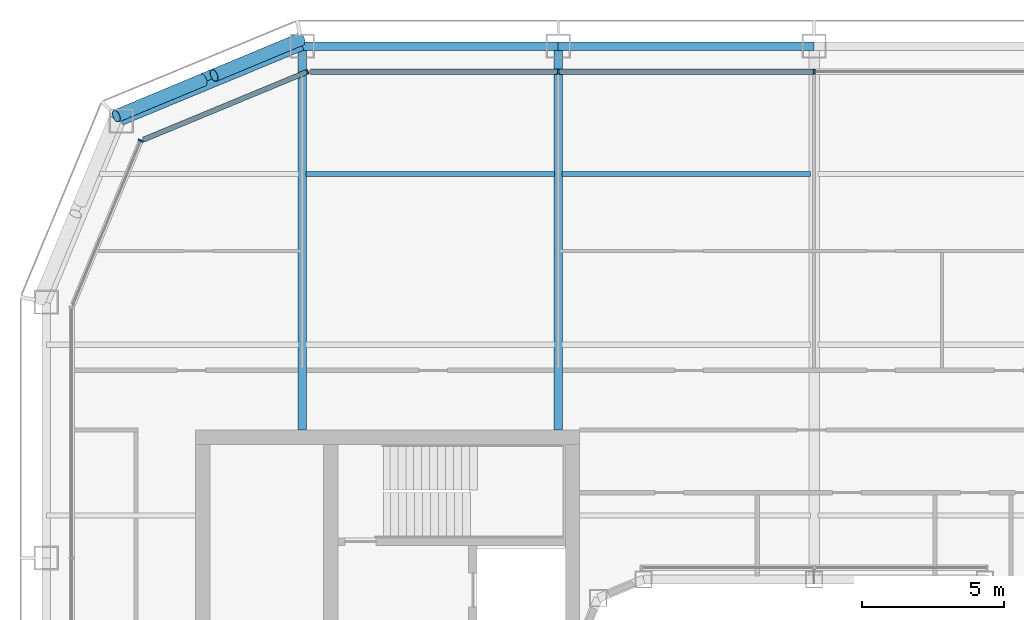
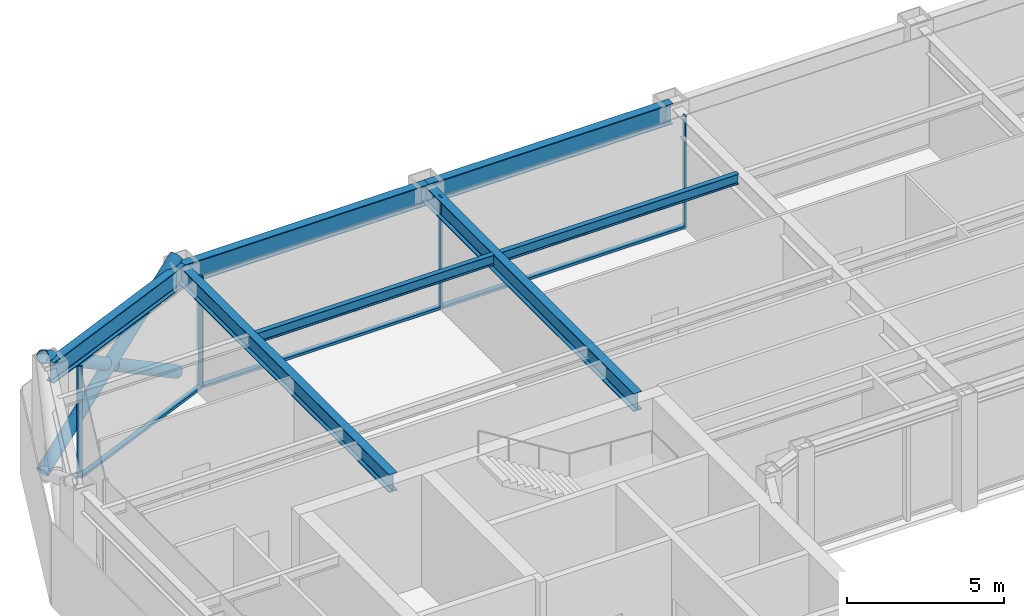
# One storey, part 8 of 22: 10 members, 7 beams, 3 elements without a shape of their own.
"""IFC4 building model written with IfcOpenShell, lengths in metres."""

from ifc_helpers import new_model, si_unit, direction, frame, origin, origin_2d, place, context, subcontext, project, spatial, rectangle, hollow_circle, i_section, extrude, material, layer, layer_set, material_profile, profile_set, type_object, element, aggregate, save


model = new_model("IFC4")

# Units and contexts
model_context = context("Model", 3, precision=1e-05, world=origin(), true_north=direction((0.0, 1.0)))
body_context = subcontext(model_context, "Body", "Model", "MODEL_VIEW")
ifc_project = project(units=[si_unit("LENGTHUNIT", "METRE"), si_unit("AREAUNIT", "SQUARE_METRE"), si_unit("VOLUMEUNIT", "CUBIC_METRE"), si_unit("PLANEANGLEUNIT", "RADIAN"), si_unit("MASSUNIT", "GRAM", prefix="KILO")], contexts=[model_context])

# Site, building, storey
site_placement = place(None, origin())
site = spatial("IfcSite", under=ifc_project, at=site_placement, CompositionType="ELEMENT")
building_placement = place(site_placement, origin())
building = spatial("IfcBuilding", under=site, at=building_placement, Name="Siwar Civic Tower", CompositionType="ELEMENT")
storey_placement = place(building_placement, frame((0.0, 0.0, 201.699951171875)))
storey = spatial("IfcBuildingStorey", under=building, at=storey_placement, Name="L43", CompositionType="ELEMENT", Elevation=201.699951171875)

# Curtain wall, members
ifc_material_1 = material(Name="Aluminium and glass", Category="aluminium")
ifc_layer_1 = layer(ifc_material_1, 0.179931640625)
ifc_layer_set_1 = layer_set([ifc_layer_1], Name="Aluminium and glass")
curtain_wall_type_1 = type_object("IfcCurtainWallType", Name="ENV-CW-C", PredefinedType="NOTDEFINED", material=ifc_layer_set_1)
curtain_wall_1_placement = place(storey_placement, origin())
curtain_wall_1 = element("IfcCurtainWall", 1, at=curtain_wall_1_placement, inside=storey, type_object=curtain_wall_type_1, Name="Curtain wall C N", PredefinedType="NOTDEFINED")
ifc_material_2 = material(Name="Aluminium 6063-T6", Category="aluminium")
ifc_material_profile_1 = material_profile(ifc_material_2, rectangle(XDim=0.179931640625, YDim=0.06005859375, at=origin_2d()), Name="AL 180x60")
ifc_profile_set_1 = profile_set([ifc_material_profile_1], Name="Aluminium 6063-T6")
member_type_1 = type_object("IfcMemberType", Name="ENV-MULLION-C", PredefinedType="MULLION", material=ifc_profile_set_1)
member_1_placement = place(storey_placement, frame((0.0, 26.10009765625, 0.0), z_axis=(0.0, 0.0, 1.0), x_axis=(0.0, -1.0, 0.0)))
member_1 = element("IfcMember", 2, at=member_1_placement, type_object=member_type_1, Name="Mullion C N 3", PredefinedType="MULLION", context=body_context, shape_type="SweptSolid", body=[
    extrude(rectangle(XDim=0.179931640625, YDim=0.06005859375, at=origin_2d()), origin(), (0.0, 0.0, 1.0), 4.35009765625),
])
member_2_placement = place(storey_placement, frame((-9.0, 26.10009765625, 0.0), z_axis=(0.0, 0.0, 1.0), x_axis=(0.0, -1.0, 0.0)))
member_2 = element("IfcMember", 3, at=member_2_placement, type_object=member_type_1, Name="Mullion C N 4", PredefinedType="MULLION", context=body_context, shape_type="SweptSolid", body=[
    extrude(rectangle(XDim=0.179931640625, YDim=0.06005859375, at=origin_2d()), origin(), (0.0, 0.0, 1.0), 4.35009765625),
])

# Curtain wall, member
ifc_material_3 = material(Name="Aluminium clad insulated panel", Category="aluminium")
ifc_layer_2 = layer(ifc_material_3, 0.179931640625)
ifc_layer_set_2 = layer_set([ifc_layer_2], Name="Aluminium clad insulated panel")
curtain_wall_type_2 = type_object("IfcCurtainWallType", Name="ENV-CW-CX", PredefinedType="NOTDEFINED", material=ifc_layer_set_2)
curtain_wall_2_placement = place(storey_placement, origin())
curtain_wall_2 = element("IfcCurtainWall", 4, at=curtain_wall_2_placement, inside=storey, type_object=curtain_wall_type_2, Name="Curtain wall C NW1", PredefinedType="NOTDEFINED")
member_3_placement = place(storey_placement, frame((-17.821044921875, 26.10009765625, 0.0), z_axis=(0.0, 0.0, 1.0), x_axis=(0.382683432365, -0.923879532511, 0.0)))
member_3 = element("IfcMember", 5, at=member_3_placement, type_object=member_type_1, Name="Mullion C NW1 1", PredefinedType="MULLION", context=body_context, shape_type="SweptSolid", body=[
    extrude(rectangle(XDim=0.179931640625, YDim=0.06005859375, at=origin_2d()), origin(), (0.0, 0.0, 1.0), 4.35009765625),
])

curtain_wall_3_placement = place(storey_placement, origin())
curtain_wall_3 = element("IfcCurtainWall", 6, at=curtain_wall_3_placement, inside=storey, type_object=curtain_wall_type_2, Name="Curtain wall C NW2", PredefinedType="NOTDEFINED")
member_4_placement = place(storey_placement, frame((-23.675048828125, 23.675048828125, 0.0), z_axis=(0.0, 0.0, 1.0), x_axis=(0.923879532511, -0.382683432365, 0.0)))
member_4 = element("IfcMember", 7, at=member_4_placement, type_object=member_type_1, Name="Mullion C NW2 1", PredefinedType="MULLION", context=body_context, shape_type="SweptSolid", body=[
    extrude(rectangle(XDim=0.179931640625, YDim=0.06005859375, at=origin_2d()), origin(), (0.0, 0.0, 1.0), 4.35009765625),
])
aggregate(curtain_wall_3, [member_4])

# Member
ifc_material_4 = material(Name="Aluminium 6063-T6", Category="aluminium")
ifc_material_profile_2 = material_profile(ifc_material_4, rectangle(XDim=0.179931640625, YDim=0.10009765625, at=origin_2d()), Name="AL 180x100")
ifc_profile_set_2 = profile_set([ifc_material_profile_2], Name="Aluminium 6063-T6")
member_type_2 = type_object("IfcMemberType", Name="ENV-TRANSOM-C", PredefinedType="USERDEFINED", material=ifc_profile_set_2)
member_5_placement = place(storey_placement, frame((-0.030029296875, 26.10009765625, 0.050048828125), z_axis=(-1.0, 0.0, 0.0), x_axis=(0.0, -1.0, 0.0)))
member_5 = element("IfcMember", 8, at=member_5_placement, type_object=member_type_2, Name="Transom C N 3", ObjectType="TRANSOM", PredefinedType="USERDEFINED", context=body_context, shape_type="SweptSolid", body=[
    extrude(rectangle(XDim=0.179931640625, YDim=0.10009765625, at=origin_2d()), origin(), (0.0, 0.0, 1.0), 8.93994140625),
])

member_6_placement = place(storey_placement, frame((-9.030029296875, 26.10009765625, 0.050048828125), z_axis=(-1.0, 0.0, 0.0), x_axis=(0.0, -1.0, 0.0)))
member_6 = element("IfcMember", 9, at=member_6_placement, type_object=member_type_2, Name="Transom C N 4", ObjectType="TRANSOM", PredefinedType="USERDEFINED", context=body_context, shape_type="SweptSolid", body=[
    extrude(rectangle(XDim=0.179931640625, YDim=0.10009765625, at=origin_2d()), origin(), (0.0, 0.0, 1.0), 8.68603515625),
])

aggregate(curtain_wall_1, [member_1, member_2, member_5, member_6])

member_7_placement = place(storey_placement, frame((-17.8486328125, 26.088623046875, 0.050048828125), z_axis=(-0.923882011223, -0.38267744817, 0.0), x_axis=(0.38267744817, -0.923882011223, 0.0)))
member_7 = element("IfcMember", 10, at=member_7_placement, type_object=member_type_2, Name="Transom C NW1 1", ObjectType="TRANSOM", PredefinedType="USERDEFINED", context=body_context, shape_type="SweptSolid", body=[
    extrude(rectangle(XDim=0.179931640625, YDim=0.10009765625, at=origin_2d()), origin(), (0.0, 0.0, 1.0), 6.201904296875),
])

aggregate(curtain_wall_2, [member_3, member_7])

# Members
ifc_material_5 = material(Name="Steel S355", Category="steel")
ifc_material_profile_3 = material_profile(ifc_material_5, hollow_circle(Radius=0.228515625, WallThickness=0.02001953125, at=origin_2d()), Name="CHS457x20")
ifc_profile_set_3 = profile_set([ifc_material_profile_3], Name="Steel S355")
member_type_3 = type_object("IfcMemberType", Name="STR-BR-CHS457x20", PredefinedType="BRACE", material=ifc_profile_set_3)
member_8_placement = place(storey_placement, frame((-24.540771484375, 24.540771484375, 0.0), z_axis=(0.777554562952, 0.323905527954, 0.538975055633), x_axis=(-0.384538969033, 0.923108759191, 0.0)))
element("IfcMember", 11, at=member_8_placement, inside=storey, type_object=member_type_3, Name="L43/brc/CNW1-3-0-0", PredefinedType="BRACE", context=body_context, shape_type="SweptSolid", body=[
    extrude(hollow_circle(Radius=0.228515625, WallThickness=0.02001953125, at=origin_2d()), origin(), (0.0, 0.0, 1.0), 8.34912109375),
])
for number, where, z_axis, x_axis, name in (
    (12, (-18.048828125, 27.2451171875, 0.0), (-0.777546448489, -0.323884455881, 0.538999424564), (0.38452107079, -0.92311621485, 0.0), "L43/brc/CNW1-3-0-4"),
    (13, (-21.486572265625, 25.81298828125, 2.383056640625), (-0.777572496853, -0.323895306243, 0.538955325357), (0.38452107079, -0.92311621485, 0.0), "L43/brc/CNW1-3-0-5"),
):
    element("IfcMember", number, at=place(storey_placement, frame(where, z_axis=z_axis, x_axis=x_axis)), inside=storey, type_object=member_type_3, Name=name, PredefinedType="BRACE", context=body_context, shape_type="SweptSolid", body=[
        extrude(hollow_circle(Radius=0.228515625, WallThickness=0.02001953125, at=origin_2d()), origin(), (0.0, 0.0, 1.0), 3.927978515625),
    ])

# Beams
ifc_material_6 = material(Name="Steel S355", Category="steel")
ifc_material_profile_4 = material_profile(ifc_material_6, i_section(OverallWidth=0.179931640625, OverallDepth=0.39990234375, WebThickness=0.008544921875, FlangeThickness=0.013427734375, FilletRadius=0.02099609375, at=origin_2d()), Name="IPE400")
ifc_profile_set_4 = profile_set([ifc_material_profile_4], Name="Steel S355")
beam_type_1 = type_object("IfcBeamType", Name="STR-FB-IPE400", PredefinedType="JOIST", material=ifc_profile_set_4)
for number, where, z_axis, x_axis, name in (
    (14, (-17.8701171875, 22.5, 4.150146484375), (1.0, 0.0, 0.0), (0.0, 1.0, 0.0), "L43/bm/F038"),
    (15, (-8.8701171875, 22.5, 4.150146484375), (1.0, 0.0, 0.0), (0.0, 1.0, 0.0), "L43/bm/F039"),
):
    element("IfcBeam", number, at=place(storey_placement, frame(where, z_axis=z_axis, x_axis=x_axis)), inside=storey, type_object=beam_type_1, Name=name, PredefinedType="JOIST", context=body_context, shape_type="SweptSolid", body=[
        extrude(i_section(OverallWidth=0.179931640625, OverallDepth=0.39990234375, WebThickness=0.008544921875, FlangeThickness=0.013427734375, FilletRadius=0.02099609375, at=origin_2d()), origin(), (0.0, 0.0, 1.0), 8.740234375),
    ])
ifc_material_7 = material(Name="Steel S355", Category="steel")
ifc_material_profile_5 = material_profile(ifc_material_7, i_section(OverallWidth=0.300048828125, OverallDepth=0.699951171875, WebThickness=0.01708984375, FlangeThickness=0.031982421875, FilletRadius=0.027099609375, at=origin_2d()), Name="HEB700")
ifc_profile_set_5 = profile_set([ifc_material_profile_5], Name="Steel S355")
beam_type_2 = type_object("IfcBeamType", Name="STR-PG-HEB700", PredefinedType="BEAM", material=ifc_profile_set_5)
for number, where, z_axis, x_axis, name in (
    (16, (-18.0, 13.5, 4.0), (0.0, 1.0, 0.0), (-1.0, 0.0, 0.0), "L43/bm/G02"),
    (17, (-9.0, 13.5, 4.0), (0.0, 1.0, 0.0), (-1.0, 0.0, 0.0), "L43/bm/G04"),
):
    element("IfcBeam", number, at=place(storey_placement, frame(where, z_axis=z_axis, x_axis=x_axis)), inside=storey, type_object=beam_type_2, Name=name, PredefinedType="BEAM", context=body_context, shape_type="SweptSolid", body=[
        extrude(i_section(OverallWidth=0.300048828125, OverallDepth=0.699951171875, WebThickness=0.01708984375, FlangeThickness=0.031982421875, FilletRadius=0.027099609375, at=origin_2d()), origin(), (0.0, 0.0, 1.0), 13.5),
    ])
ifc_material_8 = material(Name="Steel S355", Category="steel")
ifc_material_profile_6 = material_profile(ifc_material_8, i_section(OverallWidth=0.300048828125, OverallDepth=0.800048828125, WebThickness=0.017578125, FlangeThickness=0.032958984375, FilletRadius=0.030029296875, at=origin_2d()), Name="HEB800")
ifc_profile_set_6 = profile_set([ifc_material_profile_6], Name="Steel S355")
beam_type_3 = type_object("IfcBeamType", Name="STR-SB-HEB800", PredefinedType="BEAM", material=ifc_profile_set_6)
for number, where, z_axis, x_axis, name in (
    (18, (0.0, 27.0, 3.949951171875), (-1.0, 0.0, 0.0), (0.0, -1.0, 0.0), "L43/bm/SN-2"),
    (19, (-9.0, 27.0, 3.949951171875), (-1.0, 0.0, 0.0), (0.0, -1.0, 0.0), "L43/bm/SN-3"),
):
    element("IfcBeam", number, at=place(storey_placement, frame(where, z_axis=z_axis, x_axis=x_axis)), inside=storey, type_object=beam_type_3, Name=name, PredefinedType="BEAM", context=body_context, shape_type="SweptSolid", body=[
        extrude(i_section(OverallWidth=0.300048828125, OverallDepth=0.800048828125, WebThickness=0.017578125, FlangeThickness=0.032958984375, FilletRadius=0.030029296875, at=origin_2d()), origin(), (0.0, 0.0, 1.0), 9.0),
    ])
beam_placement = place(storey_placement, frame((-18.0, 27.0, 3.949951171875), z_axis=(-0.923883353507, -0.382674207535, 0.0), x_axis=(0.382674207535, -0.923883353507, 0.0)))
element("IfcBeam", 20, at=beam_placement, inside=storey, type_object=beam_type_3, Name="L43/bm/SNW1-0", PredefinedType="BEAM", context=body_context, shape_type="SweptSolid", body=[
    extrude(i_section(OverallWidth=0.300048828125, OverallDepth=0.800048828125, WebThickness=0.017578125, FlangeThickness=0.032958984375, FilletRadius=0.030029296875, at=origin_2d()), origin(), (0.0, 0.0, 1.0), 6.888427734375),
])

save(model, "model.ifc")
